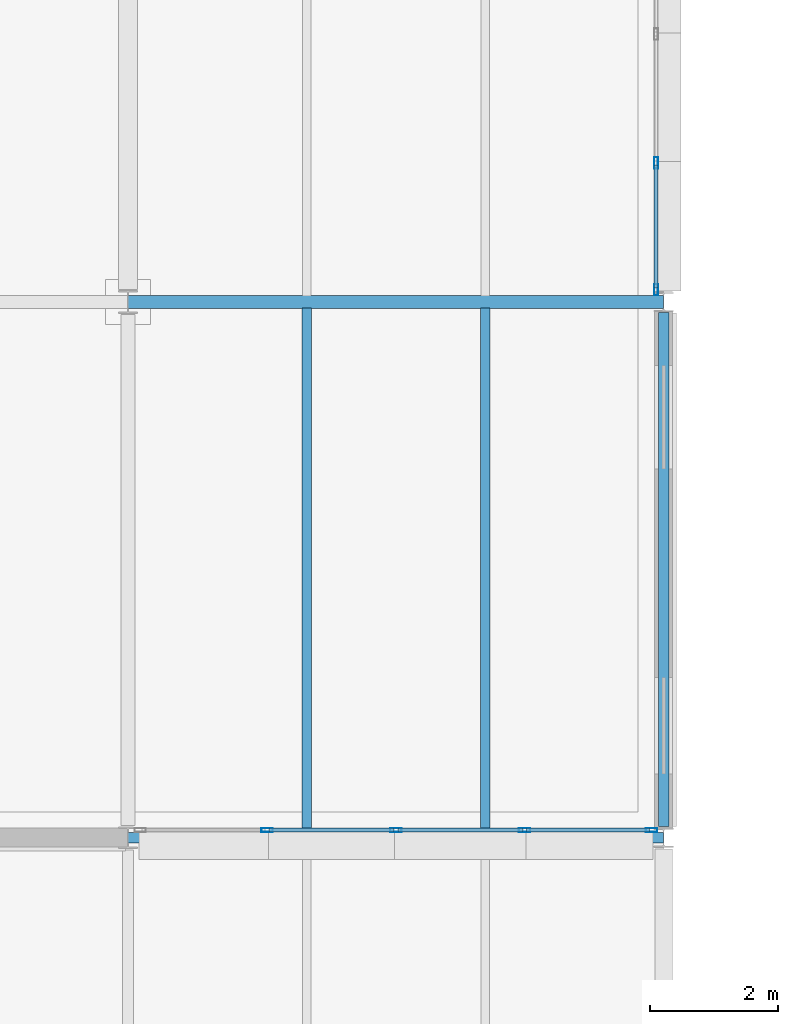
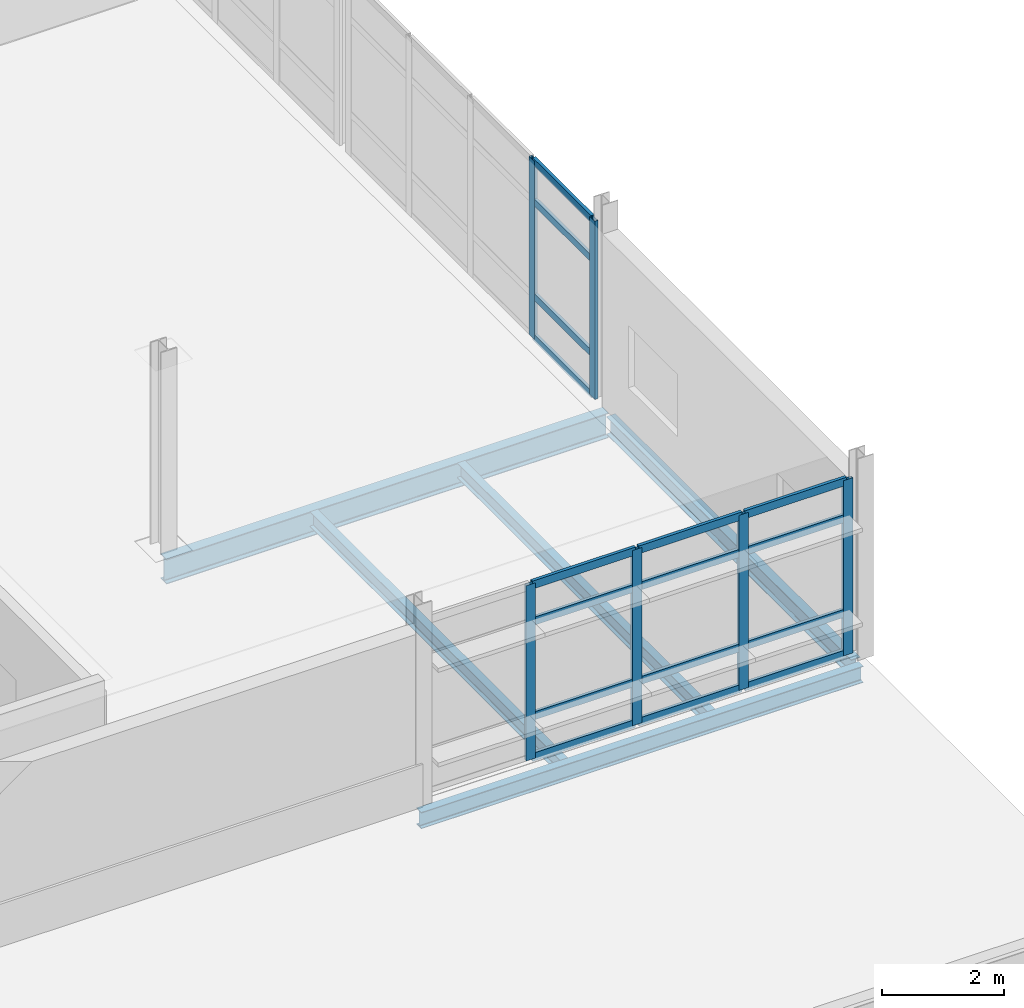
# One storey, part 87 of 151: 22 members, 5 beams, 2 elements without a shape of their own.
"""IFC4 building model written with IfcOpenShell, lengths in metres."""

from ifc_helpers import new_model, si_unit, direction, frame, origin, origin_2d, place, context, subcontext, project, spatial, hollow_rectangle, i_section, extrude, material, material_profile, profile_set, type_object, element, aggregate, save


model = new_model("IFC4")

# Units and contexts
model_context = context("Model", 3, precision=1e-05, world=origin(), true_north=direction((0.0, 1.0)))
body_context = subcontext(model_context, "Body", "Model", "MODEL_VIEW")
ifc_project = project(units=[si_unit("LENGTHUNIT", "METRE"), si_unit("AREAUNIT", "SQUARE_METRE"), si_unit("VOLUMEUNIT", "CUBIC_METRE"), si_unit("PLANEANGLEUNIT", "RADIAN"), si_unit("MASSUNIT", "GRAM", prefix="KILO")], contexts=[model_context])

# Site, building, storey
site_placement = place(None, origin())
site = spatial("IfcSite", under=ifc_project, at=site_placement, CompositionType="ELEMENT")
building_placement = place(site_placement, origin())
building = spatial("IfcBuilding", under=site, at=building_placement, Name="Mersafa Astral City Hall", CompositionType="ELEMENT")
storey_placement = place(building_placement, frame((0.0, 0.0, 9.89990234375)))
storey = spatial("IfcBuildingStorey", under=building, at=storey_placement, Name="L02", CompositionType="ELEMENT", Elevation=9.89990234375)

# Curtain wall, members
ifc_material_1 = material(Name="Anodised bronze aluminium framing", Category="aluminium")
curtain_wall_type_1 = type_object("IfcCurtainWallType", Name="ENV-CW-5", PredefinedType="USERDEFINED", material=ifc_material_1)
curtain_wall_1_placement = place(storey_placement, origin())
curtain_wall_1 = element("IfcCurtainWall", 1, at=curtain_wall_1_placement, inside=storey, type_object=curtain_wall_type_1, Name="L02 Unitised solar curtain wall 106", ObjectType="UNITISED CURTAIN WALL", PredefinedType="USERDEFINED")
ifc_material_profile_1 = material_profile(ifc_material_1, hollow_rectangle(XDim=0.06005859375, YDim=0.179931640625, WallThickness=0.00390625, at=origin_2d()), Name="RHS 60x180x4")
ifc_profile_set_1 = profile_set([ifc_material_profile_1], Name="Anodised bronze aluminium framing")
member_type_1 = type_object("IfcMemberType", Name="ENV-CW-MUL-1", PredefinedType="MULLION", material=ifc_profile_set_1)
member_1_placement = place(storey_placement, frame((136.5810546875, 8.52001953125, -0.001953125), z_axis=(0.0, 0.0, 1.0), x_axis=(0.0, 1.0, 0.0)))
member_1 = element("IfcMember", 2, at=member_1_placement, type_object=member_type_1, Name="CW-5 mullion 2", PredefinedType="MULLION", context=body_context, shape_type="SweptSolid", body=[
    extrude(hollow_rectangle(XDim=0.06005859375, YDim=0.179931640625, WallThickness=0.00390625, at=origin_2d()), origin(), (0.0, 0.0, 1.0), 3.51904296875),
])
member_2_placement = place(storey_placement, frame((138.60009765625, 8.52001953125, -0.001953125), z_axis=(0.0, 0.0, 1.0), x_axis=(0.0, 1.0, 0.0)))
member_2 = element("IfcMember", 3, at=member_2_placement, type_object=member_type_1, Name="CW-5 mullion 3", PredefinedType="MULLION", context=body_context, shape_type="SweptSolid", body=[
    extrude(hollow_rectangle(XDim=0.06005859375, YDim=0.179931640625, WallThickness=0.00390625, at=origin_2d()), origin(), (0.0, 0.0, 1.0), 3.51904296875),
])
member_3_placement = place(storey_placement, frame((140.618896484375, 8.52001953125, -0.001953125), z_axis=(0.0, 0.0, 1.0), x_axis=(0.0, 1.0, 0.0)))
member_3 = element("IfcMember", 4, at=member_3_placement, type_object=member_type_1, Name="CW-5 mullion 4", PredefinedType="MULLION", context=body_context, shape_type="SweptSolid", body=[
    extrude(hollow_rectangle(XDim=0.06005859375, YDim=0.179931640625, WallThickness=0.00390625, at=origin_2d()), origin(), (0.0, 0.0, 1.0), 3.51904296875),
])
member_4_placement = place(storey_placement, frame((142.60791015625, 8.52001953125, -0.001953125), z_axis=(0.0, 0.0, 1.0), x_axis=(0.0, 1.0, 0.0)))
member_4 = element("IfcMember", 5, at=member_4_placement, type_object=member_type_1, Name="CW-5 mullion 5", PredefinedType="MULLION", context=body_context, shape_type="SweptSolid", body=[
    extrude(hollow_rectangle(XDim=0.06005859375, YDim=0.179931640625, WallThickness=0.00390625, at=origin_2d()), origin(), (0.0, 0.0, 1.0), 3.51904296875),
])

curtain_wall_type_2 = type_object("IfcCurtainWallType", Name="ENV-CW-6", PredefinedType="USERDEFINED", material=ifc_material_1)
curtain_wall_2_placement = place(storey_placement, origin())
curtain_wall_2 = element("IfcCurtainWall", 6, at=curtain_wall_2_placement, inside=storey, type_object=curtain_wall_type_2, Name="L02 Unitised solar curtain wall 107", ObjectType="UNITISED CURTAIN WALL", PredefinedType="USERDEFINED")
member_5_placement = place(storey_placement, frame((142.679931640625, 16.991943359375, -0.001953125), z_axis=(0.0, 0.0, 1.0), x_axis=(-1.0, 0.0, 0.0)))
member_5 = element("IfcMember", 7, at=member_5_placement, type_object=member_type_1, Name="CW-6 mullion 1", PredefinedType="MULLION", context=body_context, shape_type="SweptSolid", body=[
    extrude(hollow_rectangle(XDim=0.06005859375, YDim=0.179931640625, WallThickness=0.00390625, at=origin_2d()), origin(), (0.0, 0.0, 1.0), 3.5791015625),
])
member_6_placement = place(storey_placement, frame((142.679931640625, 18.98095703125, -0.001953125), z_axis=(0.0, 0.0, 1.0), x_axis=(-1.0, 0.0, 0.0)))
member_6 = element("IfcMember", 8, at=member_6_placement, type_object=member_type_1, Name="CW-6 mullion 2", PredefinedType="MULLION", context=body_context, shape_type="SweptSolid", body=[
    extrude(hollow_rectangle(XDim=0.06005859375, YDim=0.179931640625, WallThickness=0.00390625, at=origin_2d()), origin(), (0.0, 0.0, 1.0), 3.5791015625),
])
ifc_material_profile_2 = material_profile(ifc_material_1, hollow_rectangle(XDim=0.06005859375, YDim=0.139892578125, WallThickness=0.00390625, at=origin_2d()), Name="RHS 60x140x4")
ifc_profile_set_2 = profile_set([ifc_material_profile_2], Name="Anodised bronze aluminium framing")
member_type_2 = type_object("IfcMemberType", Name="ENV-CW-TRN-1", PredefinedType="USERDEFINED", material=ifc_profile_set_2)
member_7_placement = place(storey_placement, frame((142.679931640625, 17.02197265625, 0.028076171875), z_axis=(0.0, 1.0, 0.0), x_axis=(-1.0, 0.0, 0.0)))
member_7 = element("IfcMember", 9, at=member_7_placement, type_object=member_type_2, Name="CW-6 transom 1.1", ObjectType="TRANSOM", PredefinedType="USERDEFINED", context=body_context, shape_type="SweptSolid", body=[
    extrude(hollow_rectangle(XDim=0.06005859375, YDim=0.139892578125, WallThickness=0.00390625, at=origin_2d()), origin(), (0.0, 0.0, 1.0), 1.928955078125),
])
member_8_placement = place(storey_placement, frame((142.679931640625, 17.02197265625, 0.85009765625), z_axis=(0.0, 1.0, 0.0), x_axis=(-1.0, 0.0, 0.0)))
member_8 = element("IfcMember", 10, at=member_8_placement, type_object=member_type_2, Name="CW-6 transom 1.2", ObjectType="TRANSOM", PredefinedType="USERDEFINED", context=body_context, shape_type="SweptSolid", body=[
    extrude(hollow_rectangle(XDim=0.06005859375, YDim=0.139892578125, WallThickness=0.00390625, at=origin_2d()), origin(), (0.0, 0.0, 1.0), 1.928955078125),
])
member_9_placement = place(storey_placement, frame((142.679931640625, 17.02197265625, 2.75), z_axis=(0.0, 1.0, 0.0), x_axis=(-1.0, 0.0, 0.0)))
member_9 = element("IfcMember", 11, at=member_9_placement, type_object=member_type_2, Name="CW-6 transom 1.3", ObjectType="TRANSOM", PredefinedType="USERDEFINED", context=body_context, shape_type="SweptSolid", body=[
    extrude(hollow_rectangle(XDim=0.06005859375, YDim=0.139892578125, WallThickness=0.00390625, at=origin_2d()), origin(), (0.0, 0.0, 1.0), 1.928955078125),
])
member_10_placement = place(storey_placement, frame((142.679931640625, 17.02197265625, 3.547119140625), z_axis=(0.0, 1.0, 0.0), x_axis=(-1.0, 0.0, 0.0)))
member_10 = element("IfcMember", 12, at=member_10_placement, type_object=member_type_2, Name="CW-6 transom 1.4", ObjectType="TRANSOM", PredefinedType="USERDEFINED", context=body_context, shape_type="SweptSolid", body=[
    extrude(hollow_rectangle(XDim=0.06005859375, YDim=0.139892578125, WallThickness=0.00390625, at=origin_2d()), origin(), (0.0, 0.0, 1.0), 1.928955078125),
])
aggregate(curtain_wall_2, [member_5, member_6, member_7, member_8, member_9, member_10])

# Member
ifc_material_profile_3 = material_profile(ifc_material_1, hollow_rectangle(XDim=0.06005859375, YDim=0.159912109375, WallThickness=0.00390625, at=origin_2d()), Name="RHS 60x160x4")
ifc_profile_set_3 = profile_set([ifc_material_profile_3], Name="Anodised bronze aluminium framing")
member_type_3 = type_object("IfcMemberType", Name="ENV-CW-TRN-2", PredefinedType="USERDEFINED", material=ifc_profile_set_3)
member_11_placement = place(storey_placement, frame((136.611083984375, 8.52001953125, 0.028076171875), z_axis=(1.0, 0.0, 0.0), x_axis=(0.0, 1.0, 0.0)))
member_11 = element("IfcMember", 13, at=member_11_placement, type_object=member_type_3, Name="CW-5 transom 2.1", ObjectType="TRANSOM", PredefinedType="USERDEFINED", context=body_context, shape_type="SweptSolid", body=[
    extrude(hollow_rectangle(XDim=0.06005859375, YDim=0.159912109375, WallThickness=0.00390625, at=origin_2d()), origin(), (0.0, 0.0, 1.0), 1.958984375),
])

member_12_placement = place(storey_placement, frame((136.611083984375, 8.52001953125, 0.85009765625), z_axis=(1.0, 0.0, 0.0), x_axis=(0.0, 1.0, 0.0)))
member_12 = element("IfcMember", 14, at=member_12_placement, type_object=member_type_3, Name="CW-5 transom 2.2", ObjectType="TRANSOM", PredefinedType="USERDEFINED", context=body_context, shape_type="SweptSolid", body=[
    extrude(hollow_rectangle(XDim=0.06005859375, YDim=0.159912109375, WallThickness=0.00390625, at=origin_2d()), origin(), (0.0, 0.0, 1.0), 1.958984375),
])

member_13_placement = place(storey_placement, frame((136.611083984375, 8.52001953125, 2.75), z_axis=(1.0, 0.0, 0.0), x_axis=(0.0, 1.0, 0.0)))
member_13 = element("IfcMember", 15, at=member_13_placement, type_object=member_type_3, Name="CW-5 transom 2.3", ObjectType="TRANSOM", PredefinedType="USERDEFINED", context=body_context, shape_type="SweptSolid", body=[
    extrude(hollow_rectangle(XDim=0.06005859375, YDim=0.159912109375, WallThickness=0.00390625, at=origin_2d()), origin(), (0.0, 0.0, 1.0), 1.958984375),
])

member_14_placement = place(storey_placement, frame((136.611083984375, 8.52001953125, 3.487060546875), z_axis=(1.0, 0.0, 0.0), x_axis=(0.0, 1.0, 0.0)))
member_14 = element("IfcMember", 16, at=member_14_placement, type_object=member_type_3, Name="CW-5 transom 2.4", ObjectType="TRANSOM", PredefinedType="USERDEFINED", context=body_context, shape_type="SweptSolid", body=[
    extrude(hollow_rectangle(XDim=0.06005859375, YDim=0.159912109375, WallThickness=0.00390625, at=origin_2d()), origin(), (0.0, 0.0, 1.0), 1.958984375),
])

member_15_placement = place(storey_placement, frame((138.6298828125, 8.52001953125, 0.028076171875), z_axis=(1.0, 0.0, 0.0), x_axis=(0.0, 1.0, 0.0)))
member_15 = element("IfcMember", 17, at=member_15_placement, type_object=member_type_3, Name="CW-5 transom 3.1", ObjectType="TRANSOM", PredefinedType="USERDEFINED", context=body_context, shape_type="SweptSolid", body=[
    extrude(hollow_rectangle(XDim=0.06005859375, YDim=0.159912109375, WallThickness=0.00390625, at=origin_2d()), origin(), (0.0, 0.0, 1.0), 1.959228515625),
])

member_16_placement = place(storey_placement, frame((138.6298828125, 8.52001953125, 0.85009765625), z_axis=(1.0, 0.0, 0.0), x_axis=(0.0, 1.0, 0.0)))
member_16 = element("IfcMember", 18, at=member_16_placement, type_object=member_type_3, Name="CW-5 transom 3.2", ObjectType="TRANSOM", PredefinedType="USERDEFINED", context=body_context, shape_type="SweptSolid", body=[
    extrude(hollow_rectangle(XDim=0.06005859375, YDim=0.159912109375, WallThickness=0.00390625, at=origin_2d()), origin(), (0.0, 0.0, 1.0), 1.959228515625),
])

member_17_placement = place(storey_placement, frame((138.6298828125, 8.52001953125, 2.75), z_axis=(1.0, 0.0, 0.0), x_axis=(0.0, 1.0, 0.0)))
member_17 = element("IfcMember", 19, at=member_17_placement, type_object=member_type_3, Name="CW-5 transom 3.3", ObjectType="TRANSOM", PredefinedType="USERDEFINED", context=body_context, shape_type="SweptSolid", body=[
    extrude(hollow_rectangle(XDim=0.06005859375, YDim=0.159912109375, WallThickness=0.00390625, at=origin_2d()), origin(), (0.0, 0.0, 1.0), 1.959228515625),
])

member_18_placement = place(storey_placement, frame((138.6298828125, 8.52001953125, 3.487060546875), z_axis=(1.0, 0.0, 0.0), x_axis=(0.0, 1.0, 0.0)))
member_18 = element("IfcMember", 20, at=member_18_placement, type_object=member_type_3, Name="CW-5 transom 3.4", ObjectType="TRANSOM", PredefinedType="USERDEFINED", context=body_context, shape_type="SweptSolid", body=[
    extrude(hollow_rectangle(XDim=0.06005859375, YDim=0.159912109375, WallThickness=0.00390625, at=origin_2d()), origin(), (0.0, 0.0, 1.0), 1.959228515625),
])

member_19_placement = place(storey_placement, frame((140.64892578125, 8.52001953125, 0.028076171875), z_axis=(1.0, 0.0, 0.0), x_axis=(0.0, 1.0, 0.0)))
member_19 = element("IfcMember", 21, at=member_19_placement, type_object=member_type_3, Name="CW-5 transom 4.1", ObjectType="TRANSOM", PredefinedType="USERDEFINED", context=body_context, shape_type="SweptSolid", body=[
    extrude(hollow_rectangle(XDim=0.06005859375, YDim=0.159912109375, WallThickness=0.00390625, at=origin_2d()), origin(), (0.0, 0.0, 1.0), 1.928955078125),
])

member_20_placement = place(storey_placement, frame((140.64892578125, 8.52001953125, 0.85009765625), z_axis=(1.0, 0.0, 0.0), x_axis=(0.0, 1.0, 0.0)))
member_20 = element("IfcMember", 22, at=member_20_placement, type_object=member_type_3, Name="CW-5 transom 4.2", ObjectType="TRANSOM", PredefinedType="USERDEFINED", context=body_context, shape_type="SweptSolid", body=[
    extrude(hollow_rectangle(XDim=0.06005859375, YDim=0.159912109375, WallThickness=0.00390625, at=origin_2d()), origin(), (0.0, 0.0, 1.0), 1.928955078125),
])

member_21_placement = place(storey_placement, frame((140.64892578125, 8.52001953125, 2.75), z_axis=(1.0, 0.0, 0.0), x_axis=(0.0, 1.0, 0.0)))
member_21 = element("IfcMember", 23, at=member_21_placement, type_object=member_type_3, Name="CW-5 transom 4.3", ObjectType="TRANSOM", PredefinedType="USERDEFINED", context=body_context, shape_type="SweptSolid", body=[
    extrude(hollow_rectangle(XDim=0.06005859375, YDim=0.159912109375, WallThickness=0.00390625, at=origin_2d()), origin(), (0.0, 0.0, 1.0), 1.928955078125),
])

member_22_placement = place(storey_placement, frame((140.64892578125, 8.52001953125, 3.487060546875), z_axis=(1.0, 0.0, 0.0), x_axis=(0.0, 1.0, 0.0)))
member_22 = element("IfcMember", 24, at=member_22_placement, type_object=member_type_3, Name="CW-5 transom 4.4", ObjectType="TRANSOM", PredefinedType="USERDEFINED", context=body_context, shape_type="SweptSolid", body=[
    extrude(hollow_rectangle(XDim=0.06005859375, YDim=0.159912109375, WallThickness=0.00390625, at=origin_2d()), origin(), (0.0, 0.0, 1.0), 1.928955078125),
])

aggregate(curtain_wall_1, [member_1, member_2, member_3, member_4, member_11, member_12, member_13, member_14, member_15, member_16, member_17, member_18, member_19, member_20, member_21, member_22])

# Beams
ifc_material_2 = material(Name="Steel S355", Category="steel")
ifc_material_profile_4 = material_profile(ifc_material_2, i_section(OverallWidth=0.199951171875, OverallDepth=0.5, WebThickness=0.01025390625, FlangeThickness=0.01611328125, FilletRadius=0.02099609375, at=origin_2d()), Name="IPE 500")
ifc_profile_set_4 = profile_set([ifc_material_profile_4], Name="Steel S355")
beam_type_1 = type_object("IfcBeamType", Name="STR-BM-IPE500", PredefinedType="BEAM", material=ifc_profile_set_4)
beam_1_placement = place(storey_placement, frame((134.403076171875, 16.800048828125, -0.449951171875), z_axis=(1.0, 0.0, 0.0), x_axis=(0.0, 1.0, 0.0)))
element("IfcBeam", 25, at=beam_1_placement, inside=storey, type_object=beam_type_1, Name="L02 Primary girder X 16-2", PredefinedType="BEAM", context=body_context, shape_type="SweptSolid", body=[
    extrude(i_section(OverallWidth=0.199951171875, OverallDepth=0.5, WebThickness=0.01025390625, FlangeThickness=0.01611328125, FilletRadius=0.02099609375, at=origin_2d()), origin(), (0.0, 0.0, 1.0), 8.39404296875),
])
ifc_material_profile_5 = material_profile(ifc_material_2, i_section(OverallWidth=0.14990234375, OverallDepth=0.300048828125, WebThickness=0.007080078125, FlangeThickness=0.0107421875, FilletRadius=0.014892578125, at=origin_2d()), Name="IPE 300")
ifc_profile_set_5 = profile_set([ifc_material_profile_5], Name="Steel S355")
beam_type_2 = type_object("IfcBeamType", Name="STR-BM-JOIST-IPE300", PredefinedType="JOIST", material=ifc_profile_set_5)
for number, where, z_axis, x_axis, name in (
    (26, (137.199951171875, 8.47509765625, -0.349853515625), (0.0, 1.0, 0.0), (-1.0, 0.0, 0.0), "L02 Composite secondary floor joist 506"),
    (27, (140.0, 8.47509765625, -0.349853515625), (0.0, 1.0, 0.0), (-1.0, 0.0, 0.0), "L02 Composite secondary floor joist 507"),
):
    element("IfcBeam", number, at=place(storey_placement, frame(where, z_axis=z_axis, x_axis=x_axis)), inside=storey, type_object=beam_type_2, Name=name, PredefinedType="JOIST", context=body_context, shape_type="SweptSolid", body=[
        extrude(i_section(OverallWidth=0.14990234375, OverallDepth=0.300048828125, WebThickness=0.007080078125, FlangeThickness=0.0107421875, FilletRadius=0.014892578125, at=origin_2d()), origin(), (0.0, 0.0, 1.0), 8.22998046875),
    ])
ifc_material_profile_6 = material_profile(ifc_material_2, i_section(OverallWidth=0.159912109375, OverallDepth=0.330078125, WebThickness=0.007568359375, FlangeThickness=0.011474609375, FilletRadius=0.01806640625, at=origin_2d()), Name="IPE 330")
ifc_profile_set_6 = profile_set([ifc_material_profile_6], Name="Steel S355")
beam_type_3 = type_object("IfcBeamType", Name="STR-BM-SPANDREL-IPE330", PredefinedType="SPANDREL", material=ifc_profile_set_6)
beam_2_placement = place(storey_placement, frame((134.403076171875, 8.39990234375, -0.364990234375), z_axis=(1.0, 0.0, 0.0), x_axis=(0.0, 1.0, 0.0)))
element("IfcBeam", 28, at=beam_2_placement, inside=storey, type_object=beam_type_3, Name="L02 Primary girder X 16-1", PredefinedType="SPANDREL", context=body_context, shape_type="SweptSolid", body=[
    extrude(i_section(OverallWidth=0.159912109375, OverallDepth=0.330078125, WebThickness=0.007568359375, FlangeThickness=0.011474609375, FilletRadius=0.01806640625, at=origin_2d()), origin(), (0.0, 0.0, 1.0), 8.39404296875),
])
ifc_material_profile_7 = material_profile(ifc_material_2, i_section(OverallWidth=0.169921875, OverallDepth=0.360107421875, WebThickness=0.008056640625, FlangeThickness=0.0126953125, FilletRadius=0.01806640625, at=origin_2d()), Name="IPE 360")
ifc_profile_set_7 = profile_set([ifc_material_profile_7], Name="Steel S355")
beam_type_4 = type_object("IfcBeamType", Name="STR-BM-SPANDREL-IPE360", PredefinedType="SPANDREL", material=ifc_profile_set_7)
beam_3_placement = place(storey_placement, frame((142.800048828125, 8.574951171875, -0.3798828125), z_axis=(0.0, 1.0, 0.0), x_axis=(-1.0, 0.0, 0.0)))
element("IfcBeam", 29, at=beam_3_placement, inside=storey, type_object=beam_type_4, Name="L02 Primary girder Y 17-1", PredefinedType="SPANDREL", context=body_context, shape_type="SweptSolid", body=[
    extrude(i_section(OverallWidth=0.169921875, OverallDepth=0.360107421875, WebThickness=0.008056640625, FlangeThickness=0.0126953125, FilletRadius=0.01806640625, at=origin_2d()), origin(), (0.0, 0.0, 1.0), 8.06005859375),
])

save(model, "model.ifc")
